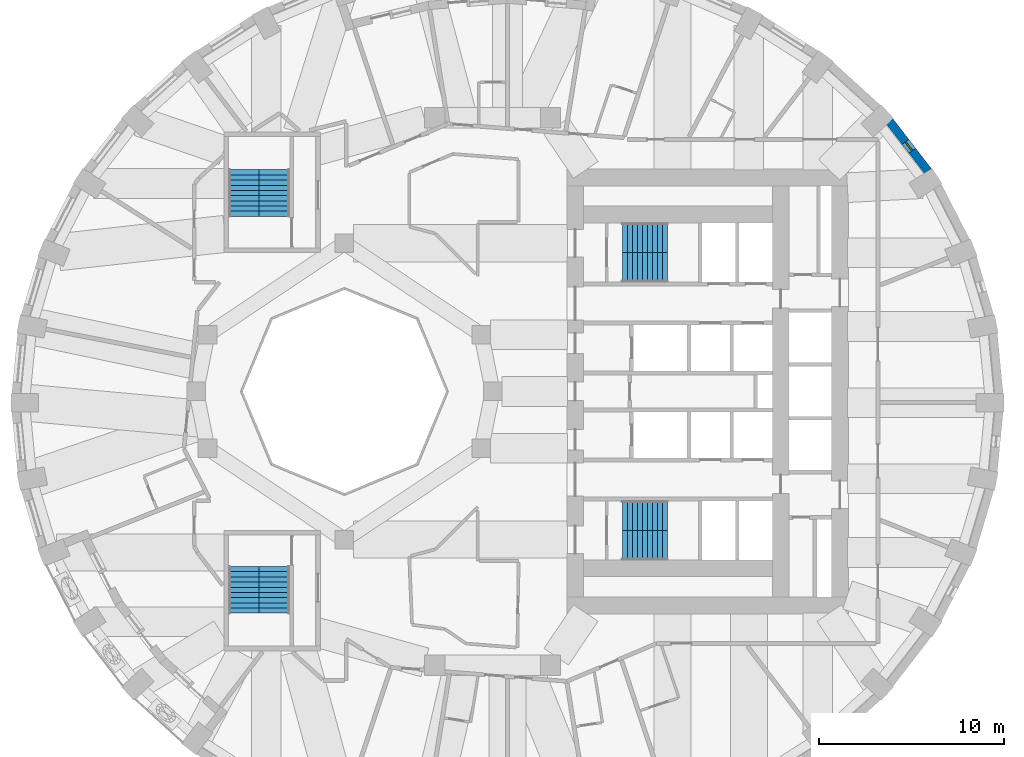
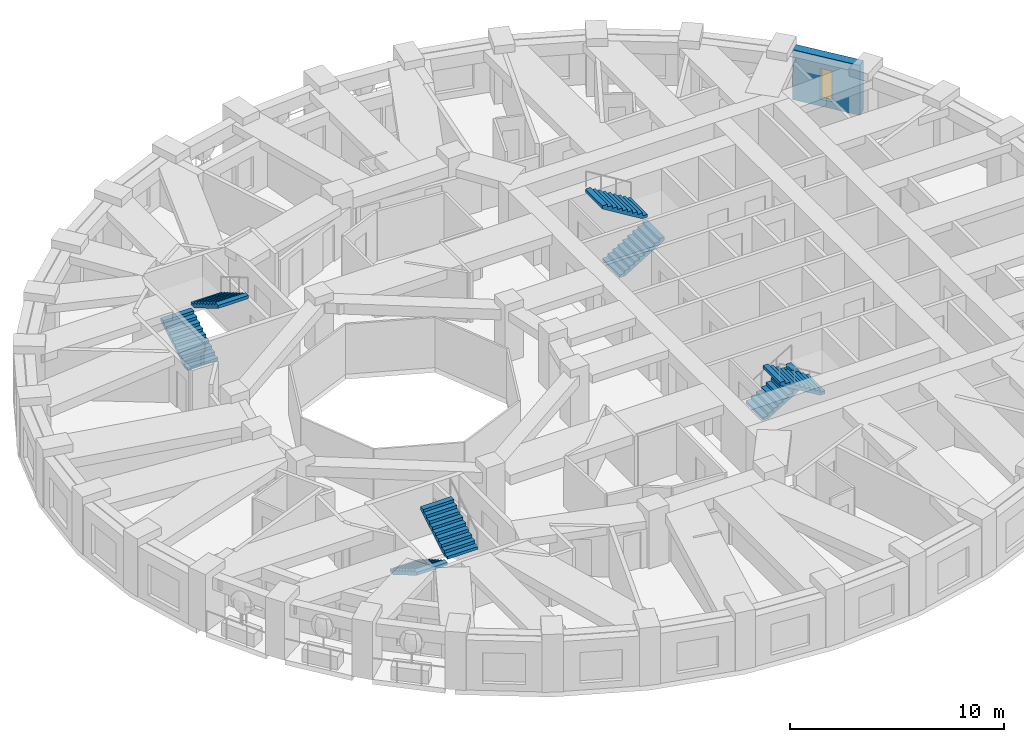
# One storey, part 9 of 12: 8 stair flights, 1 wall, 1 window, 1 opening, 4 elements without a shape of their own.
"""IFC4 building model written with IfcOpenShell, lengths in metres."""

from ifc_helpers import new_model, si_unit, direction, frame, frame_2d, origin, place, context, subcontext, project, spatial, polyline, rectangle, outline, extrude, material, layer, layer_set, type_object, element, fill, aggregate, save


model = new_model("IFC4")

# Units and contexts
model_context = context("Model", 3, precision=1e-05, world=origin(), true_north=direction((0.0, 1.0)))
body_context = subcontext(model_context, "Body", "Model", "MODEL_VIEW")
ifc_project = project(units=[si_unit("LENGTHUNIT", "METRE"), si_unit("AREAUNIT", "SQUARE_METRE"), si_unit("VOLUMEUNIT", "CUBIC_METRE"), si_unit("PLANEANGLEUNIT", "RADIAN"), si_unit("MASSUNIT", "GRAM", prefix="KILO")], contexts=[model_context])

# Site, building, storey
site_placement = place(None, origin())
site = spatial("IfcSite", under=ifc_project, at=site_placement, CompositionType="ELEMENT")
building_placement = place(site_placement, origin())
building = spatial("IfcBuilding", under=site, at=building_placement, Name="Taillehof Tower", CompositionType="ELEMENT")
storey_placement = place(building_placement, frame((0.0, 0.0, 131.800048828125)))
storey = spatial("IfcBuildingStorey", under=building, at=storey_placement, Name="L37", CompositionType="ELEMENT", Elevation=131.800048828125)

# Wall, opening, window
ifc_material_1 = material(Name="Brick masonry", Category="masonry")
ifc_layer = layer(ifc_material_1, 0.449951171875)
ifc_layer_set = layer_set([ifc_layer], Name="Brick infill wall 450")
wall_type = type_object("IfcWallType", Name="Brick infill wall 450", PredefinedType="SOLIDWALL", material=ifc_layer_set)
wall_placement = place(storey_placement, frame((23.508056640625, 11.887451171875, 0.0), z_axis=(0.0, 0.0, 1.0), x_axis=(-0.610693945156, 0.791866721961, 0.0)))
wall = element("IfcWall", 1, at=wall_placement, inside=storey, type_object=wall_type, Name="Brick wall L37 bay 4", PredefinedType="SOLIDWALL", context=body_context, shape_type="SweptSolid", body=[
    extrude(rectangle(XDim=3.39453125, YDim=0.449951171875, at=frame_2d((1.697265625, 0.0))), origin(), (0.0, 0.0, 1.0), 2.849853515625),
])
opening_placement = place(wall_placement, frame((1.397216796875, 0.0, 0.39990234375)))
opening = element("IfcOpeningElement", 2, at=opening_placement, cuts=wall, Name="Opening W6", PredefinedType="OPENING", context=body_context, shape_type="SweptSolid", body=[
    extrude(rectangle(XDim=0.60009765625, YDim=1.75, at=frame_2d((0.300048828125, 0.875))), frame((0.0, 0.23486328125, 0.0), z_axis=(0.0, -1.0, 0.0), x_axis=(1.0, 0.0, 0.0)), (0.0, 0.0, 1.0), 0.469970703125),
])
ifc_material_2 = material(Name="Aluminium window frame with clear double glazing", Category="aluminium")
window_type = type_object("IfcWindowType", Name="Slot window 600x1750", PartitioningType="SINGLE_PANEL", PredefinedType="WINDOW", material=ifc_material_2)
window_placement = place(opening_placement, origin())
window = element("IfcWindow", 3, at=window_placement, inside=storey, type_object=window_type, Name="W6", OverallHeight=1.75, OverallWidth=0.60009765625, PartitioningType="SINGLE_PANEL", PredefinedType="WINDOW", context=body_context, shape_type="SweptSolid", body=[
    extrude(rectangle(XDim=0.60009765625, YDim=1.75, at=frame_2d((0.300048828125, 0.875))), frame((0.0, 0.034912109375, 0.0), z_axis=(0.0, -1.0, 0.0), x_axis=(1.0, 0.0, 0.0)), (0.0, 0.0, 1.0), 0.06005859375),
])
fill(opening, window)

# Stair, stair flights
ifc_material_3 = material(Name="Concrete C40/50", Category="concrete")
stair_type = type_object("IfcStairType", Name="Exit stair half-turn", PredefinedType="HALF_TURN_STAIR", material=ifc_material_3)
stair_1_placement = place(storey_placement, origin())
stair_1 = element("IfcStair", 4, at=stair_1_placement, inside=storey, type_object=stair_type, Name="Exit stair S1", PredefinedType="HALF_TURN_STAIR")
ifc_material_4 = material(Name="Concrete C40/50", Category="concrete")
stair_flight_type_1 = type_object("IfcStairFlightType", Name="Stair flight 1600 riser 165.0 going 270", PredefinedType="STRAIGHT", material=ifc_material_4)
stair_flight_1_placement = place(storey_placement, frame((7.0, 6.699951171875, 0.0), z_axis=(0.0, 0.0, 1.0), x_axis=(1.0, 0.0, 0.0)))
stair_flight_1 = element("IfcStairFlight", 5, at=stair_flight_1_placement, type_object=stair_flight_type_1, Name="S1 flight 1", NumberOfRisers=10, NumberOfTreads=9, PredefinedType="STRAIGHT", RiserHeight=0.165, TreadLength=0.27, context=body_context, shape_type="SweptSolid", body=[
    extrude(outline(polyline([(0.0, 0.0), (0.0, 0.00537109375), (0.0, 0.0107421875), (0.0, 0.015869140625), (0.0, 0.021240234375), (0.0, 0.026611328125), (0.0, 0.031982421875), (0.0, 0.037353515625), (0.0, 0.04248046875), (0.0, 0.0478515625), (0.0, 0.05322265625), (0.0, 0.05859375), (0.0, 0.06396484375), (0.0, 0.069091796875), (0.0, 0.074462890625), (0.0, 0.079833984375), (0.0, 0.085205078125), (0.0, 0.090576171875), (0.0, 0.095703125), (0.0, 0.10107421875), (0.0, 0.1064453125), (0.0, 0.11181640625), (0.0, 0.1171875), (0.0, 0.122314453125), (0.0, 0.127685546875), (0.0, 0.133056640625), (0.0, 0.138427734375), (0.0, 0.143798828125), (0.0, 0.14892578125), (0.0, 0.154296875), (0.0, 0.15966796875), (0.0, 0.1650390625), (0.27001953125, 0.1650390625), (0.27001953125, 0.330078125), (0.5400390625, 0.330078125), (0.5400390625, 0.4951171875), (0.81005859375, 0.4951171875), (0.81005859375, 0.659912109375), (1.080078125, 0.659912109375), (1.080078125, 0.824951171875), (1.35009765625, 0.824951171875), (1.35009765625, 0.989990234375), (1.6201171875, 0.989990234375), (1.6201171875, 1.155029296875), (1.889892578125, 1.155029296875), (1.889892578125, 1.320068359375), (2.159912109375, 1.320068359375), (2.159912109375, 1.485107421875), (2.429931640625, 1.485107421875), (2.429931640625, 1.479248046875), (2.429931640625, 1.4736328125), (2.429931640625, 1.468017578125), (2.429931640625, 1.46240234375), (2.429931640625, 1.45654296875), (2.429931640625, 1.450927734375), (2.429931640625, 1.4453125), (2.429931640625, 1.439697265625), (2.429931640625, 1.43408203125), (2.429931640625, 1.42822265625), (2.429931640625, 1.422607421875), (2.429931640625, 1.4169921875), (2.429931640625, 1.411376953125), (2.429931640625, 1.40576171875), (2.429931640625, 1.39990234375), (2.429931640625, 1.394287109375), (2.429931640625, 1.388671875), (2.429931640625, 1.383056640625), (2.429931640625, 1.37744140625), (2.429931640625, 1.37158203125), (2.429931640625, 1.365966796875), (2.429931640625, 1.3603515625), (2.429931640625, 1.354736328125), (2.429931640625, 1.348876953125), (2.429931640625, 1.34326171875), (2.429931640625, 1.337646484375), (2.429931640625, 1.33203125), (2.429931640625, 1.326416015625), (2.429931640625, 1.320556640625), (2.429931640625, 1.31494140625), (2.429931640625, 1.309326171875), (0.287353515625, 0.0), (0.0, 0.0)])), frame((0.0, 0.800048828125, 0.0), z_axis=(0.0, -1.0, 0.0), x_axis=(1.0, 0.0, 0.0)), (0.0, 0.0, 1.0), 1.6),
])
stair_flight_2_placement = place(storey_placement, frame((9.429931640625, 8.300048828125, 1.64990234375), z_axis=(0.0, 0.0, 1.0), x_axis=(-1.0, 0.0, 0.0)))
stair_flight_2 = element("IfcStairFlight", 6, at=stair_flight_2_placement, type_object=stair_flight_type_1, Name="S1 flight 2", NumberOfRisers=10, NumberOfTreads=9, PredefinedType="STRAIGHT", RiserHeight=0.165, TreadLength=0.27, context=body_context, shape_type="SweptSolid", body=[
    extrude(outline(polyline([(0.0, 0.0), (0.0, 0.00537109375), (0.0, 0.0107421875), (0.0, 0.015869140625), (0.0, 0.021240234375), (0.0, 0.026611328125), (0.0, 0.031982421875), (0.0, 0.037353515625), (0.0, 0.04248046875), (0.0, 0.0478515625), (0.0, 0.05322265625), (0.0, 0.05859375), (0.0, 0.06396484375), (0.0, 0.069091796875), (0.0, 0.074462890625), (0.0, 0.079833984375), (0.0, 0.085205078125), (0.0, 0.090576171875), (0.0, 0.095703125), (0.0, 0.10107421875), (0.0, 0.1064453125), (0.0, 0.11181640625), (0.0, 0.1171875), (0.0, 0.122314453125), (0.0, 0.127685546875), (0.0, 0.133056640625), (0.0, 0.138427734375), (0.0, 0.143798828125), (0.0, 0.14892578125), (0.0, 0.154296875), (0.0, 0.15966796875), (0.0, 0.1650390625), (0.27001953125, 0.1650390625), (0.27001953125, 0.330078125), (0.5400390625, 0.330078125), (0.5400390625, 0.4951171875), (0.81005859375, 0.4951171875), (0.81005859375, 0.659912109375), (1.080078125, 0.659912109375), (1.080078125, 0.824951171875), (1.35009765625, 0.824951171875), (1.35009765625, 0.989990234375), (1.6201171875, 0.989990234375), (1.6201171875, 1.155029296875), (1.889892578125, 1.155029296875), (1.889892578125, 1.320068359375), (2.159912109375, 1.320068359375), (2.159912109375, 1.485107421875), (2.429931640625, 1.485107421875), (2.429931640625, 1.479248046875), (2.429931640625, 1.4736328125), (2.429931640625, 1.468017578125), (2.429931640625, 1.46240234375), (2.429931640625, 1.45654296875), (2.429931640625, 1.450927734375), (2.429931640625, 1.4453125), (2.429931640625, 1.439697265625), (2.429931640625, 1.43408203125), (2.429931640625, 1.42822265625), (2.429931640625, 1.422607421875), (2.429931640625, 1.4169921875), (2.429931640625, 1.411376953125), (2.429931640625, 1.40576171875), (2.429931640625, 1.39990234375), (2.429931640625, 1.394287109375), (2.429931640625, 1.388671875), (2.429931640625, 1.383056640625), (2.429931640625, 1.37744140625), (2.429931640625, 1.37158203125), (2.429931640625, 1.365966796875), (2.429931640625, 1.3603515625), (2.429931640625, 1.354736328125), (2.429931640625, 1.348876953125), (2.429931640625, 1.34326171875), (2.429931640625, 1.337646484375), (2.429931640625, 1.33203125), (2.429931640625, 1.326416015625), (2.429931640625, 1.320556640625), (2.429931640625, 1.31494140625), (2.429931640625, 1.309326171875), (0.287353515625, 0.0), (0.0, 0.0)])), frame((0.0, 0.800048828125, 0.0), z_axis=(0.0, -1.0, 0.0), x_axis=(1.0, 0.0, 0.0)), (0.0, 0.0, 1.0), 1.6),
])
aggregate(stair_1, [stair_flight_1, stair_flight_2])

stair_2_placement = place(storey_placement, origin())
stair_2 = element("IfcStair", 7, at=stair_2_placement, inside=storey, type_object=stair_type, Name="Exit stair S2", PredefinedType="HALF_TURN_STAIR")
stair_flight_3_placement = place(storey_placement, frame((7.0, -6.699951171875, 0.0), z_axis=(0.0, 0.0, 1.0), x_axis=(1.0, 0.0, 0.0)))
stair_flight_3 = element("IfcStairFlight", 8, at=stair_flight_3_placement, type_object=stair_flight_type_1, Name="S2 flight 1", NumberOfRisers=10, NumberOfTreads=9, PredefinedType="STRAIGHT", RiserHeight=0.165, TreadLength=0.27, context=body_context, shape_type="SweptSolid", body=[
    extrude(outline(polyline([(0.0, 0.0), (0.0, 0.00537109375), (0.0, 0.0107421875), (0.0, 0.015869140625), (0.0, 0.021240234375), (0.0, 0.026611328125), (0.0, 0.031982421875), (0.0, 0.037353515625), (0.0, 0.04248046875), (0.0, 0.0478515625), (0.0, 0.05322265625), (0.0, 0.05859375), (0.0, 0.06396484375), (0.0, 0.069091796875), (0.0, 0.074462890625), (0.0, 0.079833984375), (0.0, 0.085205078125), (0.0, 0.090576171875), (0.0, 0.095703125), (0.0, 0.10107421875), (0.0, 0.1064453125), (0.0, 0.11181640625), (0.0, 0.1171875), (0.0, 0.122314453125), (0.0, 0.127685546875), (0.0, 0.133056640625), (0.0, 0.138427734375), (0.0, 0.143798828125), (0.0, 0.14892578125), (0.0, 0.154296875), (0.0, 0.15966796875), (0.0, 0.1650390625), (0.27001953125, 0.1650390625), (0.27001953125, 0.330078125), (0.5400390625, 0.330078125), (0.5400390625, 0.4951171875), (0.81005859375, 0.4951171875), (0.81005859375, 0.659912109375), (1.080078125, 0.659912109375), (1.080078125, 0.824951171875), (1.35009765625, 0.824951171875), (1.35009765625, 0.989990234375), (1.6201171875, 0.989990234375), (1.6201171875, 1.155029296875), (1.889892578125, 1.155029296875), (1.889892578125, 1.320068359375), (2.159912109375, 1.320068359375), (2.159912109375, 1.485107421875), (2.429931640625, 1.485107421875), (2.429931640625, 1.479248046875), (2.429931640625, 1.4736328125), (2.429931640625, 1.468017578125), (2.429931640625, 1.46240234375), (2.429931640625, 1.45654296875), (2.429931640625, 1.450927734375), (2.429931640625, 1.4453125), (2.429931640625, 1.439697265625), (2.429931640625, 1.43408203125), (2.429931640625, 1.42822265625), (2.429931640625, 1.422607421875), (2.429931640625, 1.4169921875), (2.429931640625, 1.411376953125), (2.429931640625, 1.40576171875), (2.429931640625, 1.39990234375), (2.429931640625, 1.394287109375), (2.429931640625, 1.388671875), (2.429931640625, 1.383056640625), (2.429931640625, 1.37744140625), (2.429931640625, 1.37158203125), (2.429931640625, 1.365966796875), (2.429931640625, 1.3603515625), (2.429931640625, 1.354736328125), (2.429931640625, 1.348876953125), (2.429931640625, 1.34326171875), (2.429931640625, 1.337646484375), (2.429931640625, 1.33203125), (2.429931640625, 1.326416015625), (2.429931640625, 1.320556640625), (2.429931640625, 1.31494140625), (2.429931640625, 1.309326171875), (0.287353515625, 0.0), (0.0, 0.0)])), frame((0.0, 0.800048828125, 0.0), z_axis=(0.0, -1.0, 0.0), x_axis=(1.0, 0.0, 0.0)), (0.0, 0.0, 1.0), 1.6),
])
stair_flight_4_placement = place(storey_placement, frame((9.429931640625, -8.300048828125, 1.64990234375), z_axis=(0.0, 0.0, 1.0), x_axis=(-1.0, 0.0, 0.0)))
stair_flight_4 = element("IfcStairFlight", 9, at=stair_flight_4_placement, type_object=stair_flight_type_1, Name="S2 flight 2", NumberOfRisers=10, NumberOfTreads=9, PredefinedType="STRAIGHT", RiserHeight=0.165, TreadLength=0.27, context=body_context, shape_type="SweptSolid", body=[
    extrude(outline(polyline([(0.0, 0.0), (0.0, 0.00537109375), (0.0, 0.0107421875), (0.0, 0.015869140625), (0.0, 0.021240234375), (0.0, 0.026611328125), (0.0, 0.031982421875), (0.0, 0.037353515625), (0.0, 0.04248046875), (0.0, 0.0478515625), (0.0, 0.05322265625), (0.0, 0.05859375), (0.0, 0.06396484375), (0.0, 0.069091796875), (0.0, 0.074462890625), (0.0, 0.079833984375), (0.0, 0.085205078125), (0.0, 0.090576171875), (0.0, 0.095703125), (0.0, 0.10107421875), (0.0, 0.1064453125), (0.0, 0.11181640625), (0.0, 0.1171875), (0.0, 0.122314453125), (0.0, 0.127685546875), (0.0, 0.133056640625), (0.0, 0.138427734375), (0.0, 0.143798828125), (0.0, 0.14892578125), (0.0, 0.154296875), (0.0, 0.15966796875), (0.0, 0.1650390625), (0.27001953125, 0.1650390625), (0.27001953125, 0.330078125), (0.5400390625, 0.330078125), (0.5400390625, 0.4951171875), (0.81005859375, 0.4951171875), (0.81005859375, 0.659912109375), (1.080078125, 0.659912109375), (1.080078125, 0.824951171875), (1.35009765625, 0.824951171875), (1.35009765625, 0.989990234375), (1.6201171875, 0.989990234375), (1.6201171875, 1.155029296875), (1.889892578125, 1.155029296875), (1.889892578125, 1.320068359375), (2.159912109375, 1.320068359375), (2.159912109375, 1.485107421875), (2.429931640625, 1.485107421875), (2.429931640625, 1.479248046875), (2.429931640625, 1.4736328125), (2.429931640625, 1.468017578125), (2.429931640625, 1.46240234375), (2.429931640625, 1.45654296875), (2.429931640625, 1.450927734375), (2.429931640625, 1.4453125), (2.429931640625, 1.439697265625), (2.429931640625, 1.43408203125), (2.429931640625, 1.42822265625), (2.429931640625, 1.422607421875), (2.429931640625, 1.4169921875), (2.429931640625, 1.411376953125), (2.429931640625, 1.40576171875), (2.429931640625, 1.39990234375), (2.429931640625, 1.394287109375), (2.429931640625, 1.388671875), (2.429931640625, 1.383056640625), (2.429931640625, 1.37744140625), (2.429931640625, 1.37158203125), (2.429931640625, 1.365966796875), (2.429931640625, 1.3603515625), (2.429931640625, 1.354736328125), (2.429931640625, 1.348876953125), (2.429931640625, 1.34326171875), (2.429931640625, 1.337646484375), (2.429931640625, 1.33203125), (2.429931640625, 1.326416015625), (2.429931640625, 1.320556640625), (2.429931640625, 1.31494140625), (2.429931640625, 1.309326171875), (0.287353515625, 0.0), (0.0, 0.0)])), frame((0.0, 0.800048828125, 0.0), z_axis=(0.0, -1.0, 0.0), x_axis=(1.0, 0.0, 0.0)), (0.0, 0.0, 1.0), 1.6),
])
aggregate(stair_2, [stair_flight_3, stair_flight_4])

stair_3_placement = place(storey_placement, origin())
stair_3 = element("IfcStair", 10, at=stair_3_placement, inside=storey, type_object=stair_type, Name="Exit stair S3", PredefinedType="HALF_TURN_STAIR")
ifc_material_5 = material(Name="Concrete C40/50", Category="concrete")
stair_flight_type_2 = type_object("IfcStairFlightType", Name="Stair flight 1650 riser 165.0 going 280", PredefinedType="STRAIGHT", material=ifc_material_5)
stair_flight_5_placement = place(storey_placement, frame((-13.425048828125, 9.449951171875, 0.0), z_axis=(0.0, 0.0, 1.0), x_axis=(0.0, 1.0, 0.0)))
stair_flight_5 = element("IfcStairFlight", 11, at=stair_flight_5_placement, type_object=stair_flight_type_2, Name="S3 flight 1", NumberOfRisers=10, NumberOfTreads=9, PredefinedType="STRAIGHT", RiserHeight=0.165, TreadLength=0.28, context=body_context, shape_type="SweptSolid", body=[
    extrude(outline(polyline([(0.0, 0.0), (0.0, 0.00537109375), (0.0, 0.0107421875), (0.0, 0.015869140625), (0.0, 0.021240234375), (0.0, 0.026611328125), (0.0, 0.031982421875), (0.0, 0.037353515625), (0.0, 0.04248046875), (0.0, 0.0478515625), (0.0, 0.05322265625), (0.0, 0.05859375), (0.0, 0.06396484375), (0.0, 0.069091796875), (0.0, 0.074462890625), (0.0, 0.079833984375), (0.0, 0.085205078125), (0.0, 0.090576171875), (0.0, 0.095703125), (0.0, 0.10107421875), (0.0, 0.1064453125), (0.0, 0.11181640625), (0.0, 0.1171875), (0.0, 0.122314453125), (0.0, 0.127685546875), (0.0, 0.133056640625), (0.0, 0.138427734375), (0.0, 0.143798828125), (0.0, 0.14892578125), (0.0, 0.154296875), (0.0, 0.15966796875), (0.0, 0.1650390625), (0.280029296875, 0.1650390625), (0.280029296875, 0.330078125), (0.56005859375, 0.330078125), (0.56005859375, 0.4951171875), (0.840087890625, 0.4951171875), (0.840087890625, 0.659912109375), (1.1201171875, 0.659912109375), (1.1201171875, 0.824951171875), (1.39990234375, 0.824951171875), (1.39990234375, 0.989990234375), (1.679931640625, 0.989990234375), (1.679931640625, 1.155029296875), (1.9599609375, 1.155029296875), (1.9599609375, 1.320068359375), (2.239990234375, 1.320068359375), (2.239990234375, 1.485107421875), (2.52001953125, 1.485107421875), (2.52001953125, 1.4794921875), (2.52001953125, 1.473876953125), (2.52001953125, 1.46826171875), (2.52001953125, 1.462646484375), (2.52001953125, 1.45703125), (2.52001953125, 1.451416015625), (2.52001953125, 1.44580078125), (2.52001953125, 1.440185546875), (2.52001953125, 1.4345703125), (2.52001953125, 1.428955078125), (2.52001953125, 1.42333984375), (2.52001953125, 1.417724609375), (2.52001953125, 1.412109375), (2.52001953125, 1.406494140625), (2.52001953125, 1.40087890625), (2.52001953125, 1.395263671875), (2.52001953125, 1.3896484375), (2.52001953125, 1.384033203125), (2.52001953125, 1.37841796875), (2.52001953125, 1.372802734375), (2.52001953125, 1.3671875), (2.52001953125, 1.361572265625), (2.52001953125, 1.35595703125), (2.52001953125, 1.350341796875), (2.52001953125, 1.3447265625), (2.52001953125, 1.339111328125), (2.52001953125, 1.33349609375), (2.52001953125, 1.327880859375), (2.52001953125, 1.322265625), (2.52001953125, 1.316650390625), (2.52001953125, 1.31103515625), (0.295166015625, 0.0), (0.0, 0.0)])), frame((0.0, 0.824951171875, 0.0), z_axis=(0.0, -1.0, 0.0), x_axis=(1.0, 0.0, 0.0)), (0.0, 0.0, 1.0), 1.65),
])
stair_flight_6_placement = place(storey_placement, frame((-11.77490234375, 11.969970703125, 1.64990234375), z_axis=(0.0, 0.0, 1.0), x_axis=(0.0, -1.0, 0.0)))
stair_flight_6 = element("IfcStairFlight", 12, at=stair_flight_6_placement, type_object=stair_flight_type_2, Name="S3 flight 2", NumberOfRisers=10, NumberOfTreads=9, PredefinedType="STRAIGHT", RiserHeight=0.165, TreadLength=0.28, context=body_context, shape_type="SweptSolid", body=[
    extrude(outline(polyline([(0.0, 0.0), (0.0, 0.00537109375), (0.0, 0.0107421875), (0.0, 0.015869140625), (0.0, 0.021240234375), (0.0, 0.026611328125), (0.0, 0.031982421875), (0.0, 0.037353515625), (0.0, 0.04248046875), (0.0, 0.0478515625), (0.0, 0.05322265625), (0.0, 0.05859375), (0.0, 0.06396484375), (0.0, 0.069091796875), (0.0, 0.074462890625), (0.0, 0.079833984375), (0.0, 0.085205078125), (0.0, 0.090576171875), (0.0, 0.095703125), (0.0, 0.10107421875), (0.0, 0.1064453125), (0.0, 0.11181640625), (0.0, 0.1171875), (0.0, 0.122314453125), (0.0, 0.127685546875), (0.0, 0.133056640625), (0.0, 0.138427734375), (0.0, 0.143798828125), (0.0, 0.14892578125), (0.0, 0.154296875), (0.0, 0.15966796875), (0.0, 0.1650390625), (0.280029296875, 0.1650390625), (0.280029296875, 0.330078125), (0.56005859375, 0.330078125), (0.56005859375, 0.4951171875), (0.840087890625, 0.4951171875), (0.840087890625, 0.659912109375), (1.1201171875, 0.659912109375), (1.1201171875, 0.824951171875), (1.39990234375, 0.824951171875), (1.39990234375, 0.989990234375), (1.679931640625, 0.989990234375), (1.679931640625, 1.155029296875), (1.9599609375, 1.155029296875), (1.9599609375, 1.320068359375), (2.239990234375, 1.320068359375), (2.239990234375, 1.485107421875), (2.52001953125, 1.485107421875), (2.52001953125, 1.4794921875), (2.52001953125, 1.473876953125), (2.52001953125, 1.46826171875), (2.52001953125, 1.462646484375), (2.52001953125, 1.45703125), (2.52001953125, 1.451416015625), (2.52001953125, 1.44580078125), (2.52001953125, 1.440185546875), (2.52001953125, 1.4345703125), (2.52001953125, 1.428955078125), (2.52001953125, 1.42333984375), (2.52001953125, 1.417724609375), (2.52001953125, 1.412109375), (2.52001953125, 1.406494140625), (2.52001953125, 1.40087890625), (2.52001953125, 1.395263671875), (2.52001953125, 1.3896484375), (2.52001953125, 1.384033203125), (2.52001953125, 1.37841796875), (2.52001953125, 1.372802734375), (2.52001953125, 1.3671875), (2.52001953125, 1.361572265625), (2.52001953125, 1.35595703125), (2.52001953125, 1.350341796875), (2.52001953125, 1.3447265625), (2.52001953125, 1.339111328125), (2.52001953125, 1.33349609375), (2.52001953125, 1.327880859375), (2.52001953125, 1.322265625), (2.52001953125, 1.316650390625), (2.52001953125, 1.31103515625), (0.295166015625, 0.0), (0.0, 0.0)])), frame((0.0, 0.824951171875, 0.0), z_axis=(0.0, -1.0, 0.0), x_axis=(1.0, 0.0, 0.0)), (0.0, 0.0, 1.0), 1.65),
])
aggregate(stair_3, [stair_flight_5, stair_flight_6])

stair_4_placement = place(storey_placement, origin())
stair_4 = element("IfcStair", 13, at=stair_4_placement, inside=storey, type_object=stair_type, Name="Exit stair S4", PredefinedType="HALF_TURN_STAIR")
stair_flight_7_placement = place(storey_placement, frame((-13.425048828125, -9.449951171875, 0.0), z_axis=(0.0, 0.0, 1.0), x_axis=(0.0, -1.0, 0.0)))
stair_flight_7 = element("IfcStairFlight", 14, at=stair_flight_7_placement, type_object=stair_flight_type_2, Name="S4 flight 1", NumberOfRisers=10, NumberOfTreads=9, PredefinedType="STRAIGHT", RiserHeight=0.165, TreadLength=0.28, context=body_context, shape_type="SweptSolid", body=[
    extrude(outline(polyline([(0.0, 0.0), (0.0, 0.00537109375), (0.0, 0.0107421875), (0.0, 0.015869140625), (0.0, 0.021240234375), (0.0, 0.026611328125), (0.0, 0.031982421875), (0.0, 0.037353515625), (0.0, 0.04248046875), (0.0, 0.0478515625), (0.0, 0.05322265625), (0.0, 0.05859375), (0.0, 0.06396484375), (0.0, 0.069091796875), (0.0, 0.074462890625), (0.0, 0.079833984375), (0.0, 0.085205078125), (0.0, 0.090576171875), (0.0, 0.095703125), (0.0, 0.10107421875), (0.0, 0.1064453125), (0.0, 0.11181640625), (0.0, 0.1171875), (0.0, 0.122314453125), (0.0, 0.127685546875), (0.0, 0.133056640625), (0.0, 0.138427734375), (0.0, 0.143798828125), (0.0, 0.14892578125), (0.0, 0.154296875), (0.0, 0.15966796875), (0.0, 0.1650390625), (0.280029296875, 0.1650390625), (0.280029296875, 0.330078125), (0.56005859375, 0.330078125), (0.56005859375, 0.4951171875), (0.840087890625, 0.4951171875), (0.840087890625, 0.659912109375), (1.1201171875, 0.659912109375), (1.1201171875, 0.824951171875), (1.39990234375, 0.824951171875), (1.39990234375, 0.989990234375), (1.679931640625, 0.989990234375), (1.679931640625, 1.155029296875), (1.9599609375, 1.155029296875), (1.9599609375, 1.320068359375), (2.239990234375, 1.320068359375), (2.239990234375, 1.485107421875), (2.52001953125, 1.485107421875), (2.52001953125, 1.4794921875), (2.52001953125, 1.473876953125), (2.52001953125, 1.46826171875), (2.52001953125, 1.462646484375), (2.52001953125, 1.45703125), (2.52001953125, 1.451416015625), (2.52001953125, 1.44580078125), (2.52001953125, 1.440185546875), (2.52001953125, 1.4345703125), (2.52001953125, 1.428955078125), (2.52001953125, 1.42333984375), (2.52001953125, 1.417724609375), (2.52001953125, 1.412109375), (2.52001953125, 1.406494140625), (2.52001953125, 1.40087890625), (2.52001953125, 1.395263671875), (2.52001953125, 1.3896484375), (2.52001953125, 1.384033203125), (2.52001953125, 1.37841796875), (2.52001953125, 1.372802734375), (2.52001953125, 1.3671875), (2.52001953125, 1.361572265625), (2.52001953125, 1.35595703125), (2.52001953125, 1.350341796875), (2.52001953125, 1.3447265625), (2.52001953125, 1.339111328125), (2.52001953125, 1.33349609375), (2.52001953125, 1.327880859375), (2.52001953125, 1.322265625), (2.52001953125, 1.316650390625), (2.52001953125, 1.31103515625), (0.295166015625, 0.0), (0.0, 0.0)])), frame((0.0, 0.824951171875, 0.0), z_axis=(0.0, -1.0, 0.0), x_axis=(1.0, 0.0, 0.0)), (0.0, 0.0, 1.0), 1.65),
])
stair_flight_8_placement = place(storey_placement, frame((-11.77490234375, -11.969970703125, 1.64990234375), z_axis=(0.0, 0.0, 1.0), x_axis=(0.0, 1.0, 0.0)))
stair_flight_8 = element("IfcStairFlight", 15, at=stair_flight_8_placement, type_object=stair_flight_type_2, Name="S4 flight 2", NumberOfRisers=10, NumberOfTreads=9, PredefinedType="STRAIGHT", RiserHeight=0.165, TreadLength=0.28, context=body_context, shape_type="SweptSolid", body=[
    extrude(outline(polyline([(0.0, 0.0), (0.0, 0.00537109375), (0.0, 0.0107421875), (0.0, 0.015869140625), (0.0, 0.021240234375), (0.0, 0.026611328125), (0.0, 0.031982421875), (0.0, 0.037353515625), (0.0, 0.04248046875), (0.0, 0.0478515625), (0.0, 0.05322265625), (0.0, 0.05859375), (0.0, 0.06396484375), (0.0, 0.069091796875), (0.0, 0.074462890625), (0.0, 0.079833984375), (0.0, 0.085205078125), (0.0, 0.090576171875), (0.0, 0.095703125), (0.0, 0.10107421875), (0.0, 0.1064453125), (0.0, 0.11181640625), (0.0, 0.1171875), (0.0, 0.122314453125), (0.0, 0.127685546875), (0.0, 0.133056640625), (0.0, 0.138427734375), (0.0, 0.143798828125), (0.0, 0.14892578125), (0.0, 0.154296875), (0.0, 0.15966796875), (0.0, 0.1650390625), (0.280029296875, 0.1650390625), (0.280029296875, 0.330078125), (0.56005859375, 0.330078125), (0.56005859375, 0.4951171875), (0.840087890625, 0.4951171875), (0.840087890625, 0.659912109375), (1.1201171875, 0.659912109375), (1.1201171875, 0.824951171875), (1.39990234375, 0.824951171875), (1.39990234375, 0.989990234375), (1.679931640625, 0.989990234375), (1.679931640625, 1.155029296875), (1.9599609375, 1.155029296875), (1.9599609375, 1.320068359375), (2.239990234375, 1.320068359375), (2.239990234375, 1.485107421875), (2.52001953125, 1.485107421875), (2.52001953125, 1.4794921875), (2.52001953125, 1.473876953125), (2.52001953125, 1.46826171875), (2.52001953125, 1.462646484375), (2.52001953125, 1.45703125), (2.52001953125, 1.451416015625), (2.52001953125, 1.44580078125), (2.52001953125, 1.440185546875), (2.52001953125, 1.4345703125), (2.52001953125, 1.428955078125), (2.52001953125, 1.42333984375), (2.52001953125, 1.417724609375), (2.52001953125, 1.412109375), (2.52001953125, 1.406494140625), (2.52001953125, 1.40087890625), (2.52001953125, 1.395263671875), (2.52001953125, 1.3896484375), (2.52001953125, 1.384033203125), (2.52001953125, 1.37841796875), (2.52001953125, 1.372802734375), (2.52001953125, 1.3671875), (2.52001953125, 1.361572265625), (2.52001953125, 1.35595703125), (2.52001953125, 1.350341796875), (2.52001953125, 1.3447265625), (2.52001953125, 1.339111328125), (2.52001953125, 1.33349609375), (2.52001953125, 1.327880859375), (2.52001953125, 1.322265625), (2.52001953125, 1.316650390625), (2.52001953125, 1.31103515625), (0.295166015625, 0.0), (0.0, 0.0)])), frame((0.0, 0.824951171875, 0.0), z_axis=(0.0, -1.0, 0.0), x_axis=(1.0, 0.0, 0.0)), (0.0, 0.0, 1.0), 1.65),
])
aggregate(stair_4, [stair_flight_7, stair_flight_8])

save(model, "model.ifc")
